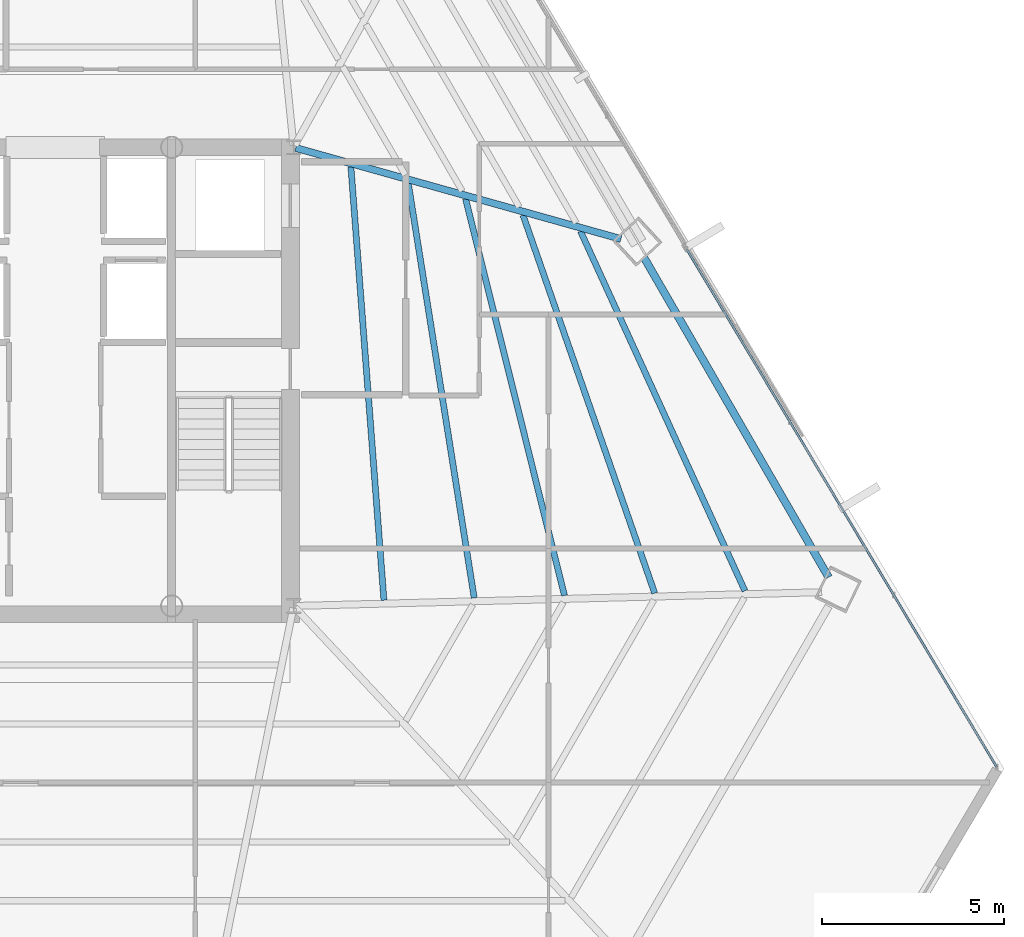
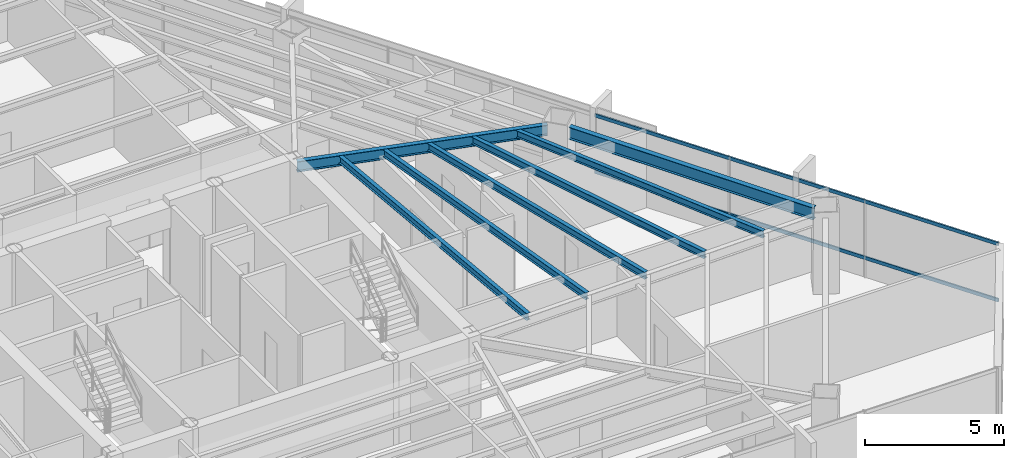
# One storey, part 22 of 41: 7 beams, 2 members, 1 element without a shape of its own.
"""IFC4 building model written with IfcOpenShell, lengths in metres."""

from ifc_helpers import new_model, si_unit, direction, frame, origin, origin_2d, place, context, subcontext, project, spatial, hollow_rectangle, i_section, extrude, source, transform, mapped, material, material_profile, profile_set, type_object, type_shapes, element, aggregate, save


model = new_model("IFC4")

# Units and contexts
model_context = context("Model", 3, precision=1e-05, world=origin(), true_north=direction((0.0, 1.0)))
body_context = subcontext(model_context, "Body", "Model", "MODEL_VIEW")
ifc_project = project(units=[si_unit("LENGTHUNIT", "METRE"), si_unit("AREAUNIT", "SQUARE_METRE"), si_unit("VOLUMEUNIT", "CUBIC_METRE"), si_unit("PLANEANGLEUNIT", "RADIAN"), si_unit("MASSUNIT", "GRAM", prefix="KILO")], contexts=[model_context])

# Site, building, storey
site_placement = place(None, origin())
site = spatial("IfcSite", under=ifc_project, at=site_placement, CompositionType="ELEMENT")
building_placement = place(site_placement, origin())
building = spatial("IfcBuilding", under=site, at=building_placement, Name="Caelisora Broadcast Tower", CompositionType="ELEMENT")
storey_placement = place(building_placement, frame((0.0, 0.0, 169.449951171875)))
storey = spatial("IfcBuildingStorey", under=building, at=storey_placement, Name="L44", CompositionType="ELEMENT", Elevation=169.449951171875)

# Beams
ifc_material_1 = material(Name="Steel Grade 350 (AS/NZS 3679.1)", Category="steel")
ifc_material_profile_1 = material_profile(ifc_material_1, i_section(OverallWidth=0.208984375, OverallDepth=0.532958984375, WebThickness=0.01025390625, FlangeThickness=0.015625, at=origin_2d()), Name="Steel Grade 350 (AS/NZS 3679.1)")
ifc_profile_set_1 = profile_set([ifc_material_profile_1], Name="Steel Grade 350 (AS/NZS 3679.1)")
beam_type_1 = type_object("IfcBeamType", Name="PG05", PredefinedType="BEAM", material=ifc_profile_set_1)
shared_shape_1 = source(origin(), body_context, "Body", "SweptSolid", [
    extrude(i_section(OverallWidth=0.208984375, OverallDepth=0.532958984375, WebThickness=0.01025390625, FlangeThickness=0.015625, at=origin_2d()), origin(), (0.0, 0.0, 1.0), 10.14111328125),
])
type_shapes(beam_type_1, [shared_shape_1])
beam_1_placement = place(storey_placement, frame((60.19775390625, 18.1884765625, 3.133544921875), z_axis=(-0.499999616612, 0.866025625133, 0.0), x_axis=(-0.866025625133, -0.499999616612, 0.0)))
element("IfcBeam", 1, at=beam_1_placement, inside=storey, type_object=beam_type_1, Name="L44 beam PG05", PredefinedType="BEAM", context=body_context, shape_type="MappedRepresentation", body=[
    mapped(shared_shape_1, transform((0.0, 0.0, 0.0), scale=1.0)),
])
ifc_material_profile_2 = material_profile(ifc_material_1, i_section(OverallWidth=0.19091796875, OverallDepth=0.46044921875, WebThickness=0.010009765625, FlangeThickness=0.01611328125, at=origin_2d()), Name="Steel Grade 350 (AS/NZS 3679.1)")
ifc_profile_set_2 = profile_set([ifc_material_profile_2], Name="Steel Grade 350 (AS/NZS 3679.1)")
beam_type_2 = type_object("IfcBeamType", Name="PG06", PredefinedType="BEAM", material=ifc_profile_set_2)
shared_shape_2 = source(origin(), body_context, "Body", "SweptSolid", [
    extrude(i_section(OverallWidth=0.19091796875, OverallDepth=0.46044921875, WebThickness=0.010009765625, FlangeThickness=0.01611328125, at=origin_2d()), origin(), (0.0, 0.0, 1.0), 9.2783203125),
])
type_shapes(beam_type_2, [shared_shape_2])
beam_2_placement = place(storey_placement, frame((45.557861328125, 29.98388671875, 3.169921875), z_axis=(0.96297194439, -0.269601621505, 0.0), x_axis=(0.269601621505, 0.96297194439, 0.0)))
element("IfcBeam", 2, at=beam_2_placement, inside=storey, type_object=beam_type_2, Name="L44 beam PG06", PredefinedType="BEAM", context=body_context, shape_type="MappedRepresentation", body=[
    mapped(shared_shape_2, transform((0.0, 0.0, 0.0), scale=1.0)),
])
ifc_material_profile_3 = material_profile(ifc_material_1, i_section(OverallWidth=0.166015625, OverallDepth=0.30712890625, WebThickness=0.006591796875, FlangeThickness=0.01171875, at=origin_2d()), Name="Steel Grade 350 (AS/NZS 3679.1)")
ifc_profile_set_3 = profile_set([ifc_material_profile_3], Name="Steel Grade 350 (AS/NZS 3679.1)")
beam_type_3 = type_object("IfcBeamType", Name="SB03", PredefinedType="JOIST", material=ifc_profile_set_3)
shared_shape_3 = source(origin(), body_context, "Body", "SweptSolid", [
    extrude(i_section(OverallWidth=0.166015625, OverallDepth=0.30712890625, WebThickness=0.006591796875, FlangeThickness=0.01171875, at=origin_2d()), origin(), (0.0, 0.0, 1.0), 11.940185546875),
])
beam_3_placement = place(storey_placement, frame((47.98095703125, 17.557373046875, 3.246337890625), z_axis=(-0.075980359523, 0.997109314452, 0.0), x_axis=(-0.997109314452, -0.075980359523, 0.0)))
element("IfcBeam", 3, at=beam_3_placement, inside=storey, type_object=beam_type_3, Name="L44 beam SB03", PredefinedType="JOIST", context=body_context, shape_type="MappedRepresentation", body=[
    mapped(shared_shape_3, transform((0.0, 0.0, 0.0), scale=1.0)),
])
shared_shape_4 = source(origin(), body_context, "Body", "SweptSolid", [
    extrude(i_section(OverallWidth=0.166015625, OverallDepth=0.30712890625, WebThickness=0.006591796875, FlangeThickness=0.01171875, at=origin_2d()), origin(), (0.0, 0.0, 1.0), 11.54345703125),
])
beam_4_placement = place(storey_placement, frame((50.461181640625, 17.6220703125, 3.246337890625), z_axis=(-0.157037694113, 0.987592609646, 0.0), x_axis=(-0.987592609646, -0.157037694113, 0.0)))
element("IfcBeam", 4, at=beam_4_placement, inside=storey, type_object=beam_type_3, Name="L44 beam SB03", PredefinedType="JOIST", context=body_context, shape_type="MappedRepresentation", body=[
    mapped(shared_shape_4, transform((0.0, 0.0, 0.0), scale=1.0)),
])
shared_shape_5 = source(origin(), body_context, "Body", "SweptSolid", [
    extrude(i_section(OverallWidth=0.166015625, OverallDepth=0.30712890625, WebThickness=0.006591796875, FlangeThickness=0.01171875, at=origin_2d()), origin(), (0.0, 0.0, 1.0), 11.227294921875),
])
beam_5_placement = place(storey_placement, frame((52.94091796875, 17.68701171875, 3.246337890625), z_axis=(-0.241936946665, 0.9702919735, 0.0), x_axis=(-0.9702919735, -0.241936946665, 0.0)))
element("IfcBeam", 5, at=beam_5_placement, inside=storey, type_object=beam_type_3, Name="L44 beam SB03", PredefinedType="JOIST", context=body_context, shape_type="MappedRepresentation", body=[
    mapped(shared_shape_5, transform((0.0, 0.0, 0.0), scale=1.0)),
])
shared_shape_6 = source(origin(), body_context, "Body", "SweptSolid", [
    extrude(i_section(OverallWidth=0.166015625, OverallDepth=0.30712890625, WebThickness=0.006591796875, FlangeThickness=0.01171875, at=origin_2d()), origin(), (0.0, 0.0, 1.0), 10.99951171875),
])
beam_6_placement = place(storey_placement, frame((55.419921875, 17.751708984375, 3.246337890625), z_axis=(-0.328917460299, 0.944358673551, 0.0), x_axis=(-0.944358673551, -0.328917460299, 0.0)))
element("IfcBeam", 6, at=beam_6_placement, inside=storey, type_object=beam_type_3, Name="L44 beam SB03", PredefinedType="JOIST", context=body_context, shape_type="MappedRepresentation", body=[
    mapped(shared_shape_6, transform((0.0, 0.0, 0.0), scale=1.0)),
])
shared_shape_7 = source(origin(), body_context, "Body", "SweptSolid", [
    extrude(i_section(OverallWidth=0.166015625, OverallDepth=0.30712890625, WebThickness=0.006591796875, FlangeThickness=0.01171875, at=origin_2d()), origin(), (0.0, 0.0, 1.0), 10.863525390625),
])
type_shapes(beam_type_3, [shared_shape_3, shared_shape_4, shared_shape_5, shared_shape_6, shared_shape_7])
beam_7_placement = place(storey_placement, frame((57.89794921875, 17.816650390625, 3.246337890625), z_axis=(-0.415739046819, 0.909483944306, 0.0), x_axis=(-0.909483944306, -0.415739046819, 0.0)))
element("IfcBeam", 7, at=beam_7_placement, inside=storey, type_object=beam_type_3, Name="L44 beam SB03", PredefinedType="JOIST", context=body_context, shape_type="MappedRepresentation", body=[
    mapped(shared_shape_7, transform((0.0, 0.0, 0.0), scale=1.0)),
])

# Curtain wall, members
ifc_material_2 = material(Name="Unitised Aluminium and Low-E Glass Curtain Wall", Category="glass")
curtain_wall_type = type_object("IfcCurtainWallType", Name="CW-Z3", PredefinedType="NOTDEFINED", material=ifc_material_2)
curtain_wall_placement = place(storey_placement, origin())
curtain_wall = element("IfcCurtainWall", 8, at=curtain_wall_placement, inside=storey, type_object=curtain_wall_type, Name="L44 curtain wall CW-Z3", PredefinedType="NOTDEFINED")
ifc_material_3 = material(Name="Aluminium 6063-T6 Anodised Terracotta Bronze", Category="aluminium")
ifc_material_profile_4 = material_profile(ifc_material_3, hollow_rectangle(XDim=0.06005859375, YDim=0.14990234375, WallThickness=0.00341796875, at=origin_2d()), Name="Aluminium 6063-T6 Anodised Terracotta Bronze")
ifc_profile_set_4 = profile_set([ifc_material_profile_4], Name="Aluminium 6063-T6 Anodised Terracotta Bronze")
member_type = type_object("IfcMemberType", Name="CWT-02", PredefinedType="USERDEFINED", material=ifc_profile_set_4)
shared_shape_8 = source(origin(), body_context, "Body", "SweptSolid", [
    extrude(hollow_rectangle(XDim=0.06005859375, YDim=0.14990234375, WallThickness=0.00341796875, at=origin_2d()), origin(), (0.0, 0.0, 1.0), 16.58154296875),
])
type_shapes(member_type, [shared_shape_8])
member_1_placement = place(storey_placement, frame((56.298828125, 27.20068359375, 0.85009765625), z_axis=(0.513674898938, -0.857984905579, 0.0), x_axis=(0.857984905579, 0.513674898938, 0.0)))
member_1 = element("IfcMember", 9, at=member_1_placement, type_object=member_type, Name="L44-CW-B03 transom #1", ObjectType="TRANSOM", PredefinedType="USERDEFINED", context=body_context, shape_type="MappedRepresentation", body=[
    mapped(shared_shape_8, transform((0.0, 0.0, 0.0), scale=1.0)),
])
member_2_placement = place(storey_placement, frame((56.298828125, 27.20068359375, 3.320068359375), z_axis=(0.513674898938, -0.857984905579, 0.0), x_axis=(0.857984905579, 0.513674898938, 0.0)))
member_2 = element("IfcMember", 10, at=member_2_placement, type_object=member_type, Name="L44-CW-B03 transom #2", ObjectType="TRANSOM", PredefinedType="USERDEFINED", context=body_context, shape_type="MappedRepresentation", body=[
    mapped(shared_shape_8, transform((0.0, 0.0, 0.0), scale=1.0)),
])
aggregate(curtain_wall, [member_1, member_2])

save(model, "model.ifc")
